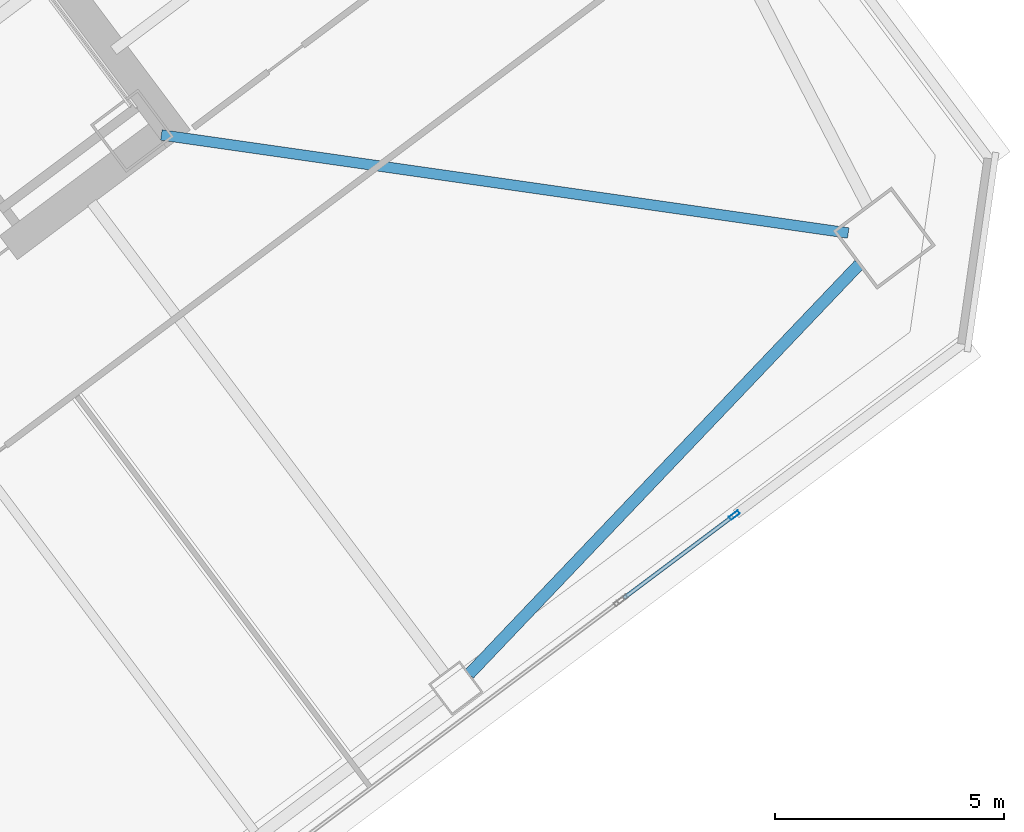
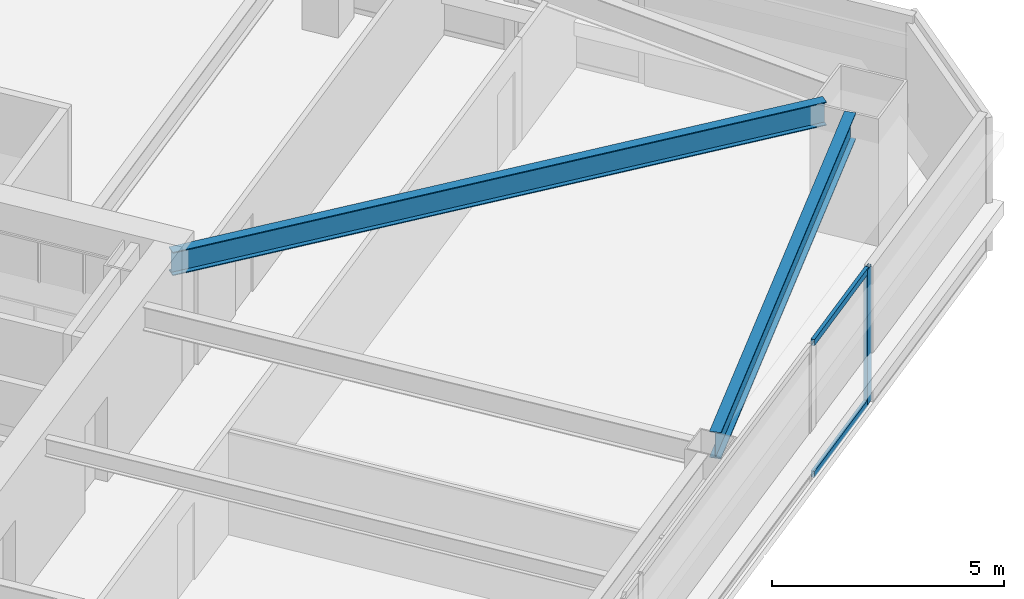
# One storey, part 26 of 46: 3 members, 2 beams, 1 element without a shape of its own.
"""IFC4 building model written with IfcOpenShell, lengths in metres."""

from ifc_helpers import new_model, si_unit, direction, frame, origin, origin_2d, place, context, subcontext, project, spatial, hollow_rectangle, i_section, extrude, material, material_profile, profile_set, type_object, element, aggregate, save


model = new_model("IFC4")

# Units and contexts
model_context = context("Model", 3, precision=1e-05, world=origin(), true_north=direction((0.0, 1.0)))
body_context = subcontext(model_context, "Body", "Model", "MODEL_VIEW")
ifc_project = project(units=[si_unit("LENGTHUNIT", "METRE"), si_unit("AREAUNIT", "SQUARE_METRE"), si_unit("VOLUMEUNIT", "CUBIC_METRE"), si_unit("PLANEANGLEUNIT", "RADIAN"), si_unit("MASSUNIT", "GRAM", prefix="KILO")], contexts=[model_context])

# Site, building, storey
site_placement = place(None, origin())
site = spatial("IfcSite", under=ifc_project, at=site_placement, CompositionType="ELEMENT")
building_placement = place(site_placement, origin())
building = spatial("IfcBuilding", under=site, at=building_placement, Name="Tashvorn Skyway Center", CompositionType="ELEMENT")
storey_placement = place(building_placement, frame((0.0, 0.0, 60.10009765625)))
storey = spatial("IfcBuildingStorey", under=building, at=storey_placement, Name="L15", CompositionType="ELEMENT", Elevation=60.10009765625)

# Beams
ifc_material_1 = material(Name="Steel ASTM A992 Grade 50", Category="steel")
ifc_material_profile_1 = material_profile(ifc_material_1, i_section(OverallWidth=0.22998046875, OverallDepth=0.616943359375, WebThickness=0.01318359375, FlangeThickness=0.022216796875, at=origin_2d()), Name="W24X94")
ifc_profile_set_1 = profile_set([ifc_material_profile_1], Name="Steel ASTM A992 Grade 50")
beam_type_1 = type_object("IfcBeamType", Name="BM-BEAM-W24X94", PredefinedType="BEAM", material=ifc_profile_set_1)
beam_1_placement = place(storey_placement, frame((139.532958984375, 28.3525390625, 3.04150390625), z_axis=(-0.989950458816, 0.141414599991, 0.0), x_axis=(-0.141414599991, -0.989950458816, 0.0)))
element("IfcBeam", 1, at=beam_1_placement, inside=storey, type_object=beam_type_1, Name="Tower 2 L15 Primary Floor Girder MC-SE", PredefinedType="BEAM", context=body_context, shape_type="SweptSolid", body=[
    extrude(i_section(OverallWidth=0.22998046875, OverallDepth=0.616943359375, WebThickness=0.01318359375, FlangeThickness=0.022216796875, at=origin_2d()), origin(), (0.0, 0.0, 1.0), 15.177001953125),
])
ifc_material_profile_2 = material_profile(ifc_material_1, i_section(OverallWidth=0.256103515625, OverallDepth=0.693115234375, WebThickness=0.014404296875, FlangeThickness=0.023681640625, at=origin_2d()), Name="W27X114")
ifc_profile_set_2 = profile_set([ifc_material_profile_2], Name="Steel ASTM A992 Grade 50")
beam_type_2 = type_object("IfcBeamType", Name="BM-SPANDREL-W27X114", PredefinedType="SPANDREL", material=ifc_profile_set_2)
beam_2_placement = place(storey_placement, frame((131.23974609375, 18.7041015625, 3.00341796875), z_axis=(0.689589637236, 0.724200339835, 0.0), x_axis=(-0.724200339835, 0.689589637236, 0.0)))
element("IfcBeam", 2, at=beam_2_placement, inside=storey, type_object=beam_type_2, Name="Tower 2 L15 Spandrel Beam 03", PredefinedType="SPANDREL", context=body_context, shape_type="SweptSolid", body=[
    extrude(i_section(OverallWidth=0.256103515625, OverallDepth=0.693115234375, WebThickness=0.014404296875, FlangeThickness=0.023681640625, at=origin_2d()), origin(), (0.0, 0.0, 1.0), 12.37255859375),
])

# Curtain wall, members
ifc_material_2 = material(Name="Thermally broken bronze-anodized aluminium 6063-T6", Category="aluminium")
curtain_wall_type = type_object("IfcCurtainWallType", Name="CW-CW-Z1", PredefinedType="NOTDEFINED", material=ifc_material_2)
curtain_wall_placement = place(storey_placement, origin())
curtain_wall = element("IfcCurtainWall", 3, at=curtain_wall_placement, inside=storey, type_object=curtain_wall_type, Name="Tower 2 L15 South Unitised Curtain Wall Glazing Group 1", PredefinedType="NOTDEFINED")
ifc_material_profile_3 = material_profile(ifc_material_2, hollow_rectangle(XDim=0.0849609375, YDim=0.239990234375, WallThickness=0.0048828125, at=origin_2d()), Name="ALU-MULL-85x240")
ifc_profile_set_3 = profile_set([ifc_material_profile_3], Name="Thermally broken bronze-anodized aluminium 6063-T6")
member_type_1 = type_object("IfcMemberType", Name="CWM-CW-Z1", PredefinedType="MULLION", material=ifc_profile_set_3)
member_1_placement = place(storey_placement, frame((137.043212890625, 22.1826171875, 0.0), z_axis=(0.0, 0.0, 1.0), x_axis=(0.600005084776, -0.799996186392, 0.0)))
member_1 = element("IfcMember", 4, at=member_1_placement, type_object=member_type_1, Name="CW-Z1 mullion 1", PredefinedType="MULLION", context=body_context, shape_type="SweptSolid", body=[
    extrude(hollow_rectangle(XDim=0.0849609375, YDim=0.239990234375, WallThickness=0.0048828125, at=origin_2d()), origin(), (0.0, 0.0, 1.0), 3.5498046875),
])
ifc_material_profile_4 = material_profile(ifc_material_2, hollow_rectangle(XDim=0.0849609375, YDim=0.1650390625, WallThickness=0.0048828125, at=origin_2d()), Name="ALU-TRAN-85x165")
ifc_profile_set_4 = profile_set([ifc_material_profile_4], Name="Thermally broken bronze-anodized aluminium 6063-T6")
member_type_2 = type_object("IfcMemberType", Name="CWT-CW-Z1", PredefinedType="USERDEFINED", material=ifc_profile_set_4)
member_2_placement = place(storey_placement, frame((137.00927734375, 22.156982421875, 0.04248046875), z_axis=(-0.800019684286, -0.599973753388, 0.0), x_axis=(0.599973753388, -0.800019684286, 0.0)))
member_2 = element("IfcMember", 5, at=member_2_placement, type_object=member_type_2, Name="CW-Z1 transom 1.1", ObjectType="TRANSOM", PredefinedType="USERDEFINED", context=body_context, shape_type="SweptSolid", body=[
    extrude(hollow_rectangle(XDim=0.0849609375, YDim=0.1650390625, WallThickness=0.0048828125, at=origin_2d()), origin(), (0.0, 0.0, 1.0), 2.9765625),
])
member_3_placement = place(storey_placement, frame((137.00927734375, 22.156982421875, 3.50732421875), z_axis=(-0.800019684286, -0.599973753388, 0.0), x_axis=(0.599973753388, -0.800019684286, 0.0)))
member_3 = element("IfcMember", 6, at=member_3_placement, type_object=member_type_2, Name="CW-Z1 transom 1.2", ObjectType="TRANSOM", PredefinedType="USERDEFINED", context=body_context, shape_type="SweptSolid", body=[
    extrude(hollow_rectangle(XDim=0.0849609375, YDim=0.1650390625, WallThickness=0.0048828125, at=origin_2d()), origin(), (0.0, 0.0, 1.0), 2.9765625),
])
aggregate(curtain_wall, [member_1, member_2, member_3])

save(model, "model.ifc")
